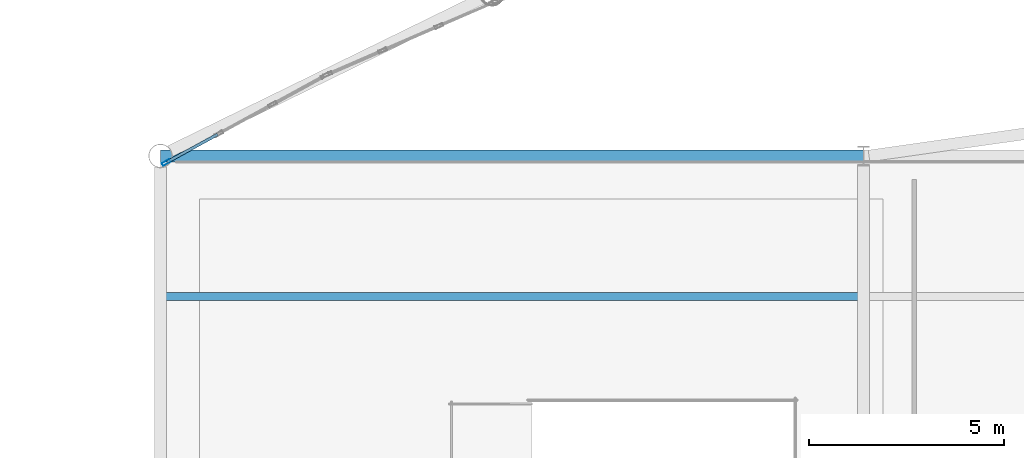
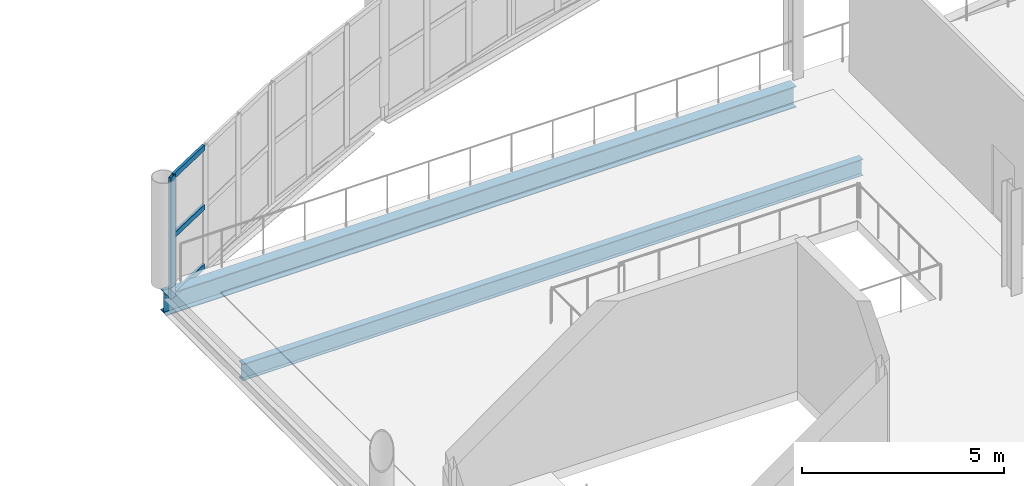
# One storey, part 60 of 134: 4 members, 2 beams, 1 element without a shape of its own.
"""IFC4 building model written with IfcOpenShell, lengths in metres."""

import ifcopenshell
import ifcopenshell.guid

model = None  # the IFC model being written
_history = None  # IfcOwnerHistory: only IFC2X3 demands one
_inside = {}  # id of a spatial element -> (the spatial element, [elements in it])
_under = {}  # id of a project, library or spatial element -> (it, [spatial elements below it])
_declared = {}  # id of a project -> (the project, [libraries it declares])
_typed = {}  # id of a type object -> (the type object, [elements of that type])
_made_of = {}  # id of a material, layer set ... -> (it, [elements and type objects made of it])


def new_model(schema):
    """Start an empty IFC model of exactly this schema.

    Asked for "IFC4X3", IfcOpenShell would pick the latest addendum, in which some entities
    have other attributes; the version numbers below select the first issue.
    IFC2X3 requires an IfcOwnerHistory on every rooted entity: one is made here for all.
    """
    global model, _history
    if schema == "IFC4X3":
        model = ifcopenshell.file(schema_version=(4, 3, 0, 0))
    else:
        model = ifcopenshell.file(schema=schema)
    _inside.clear()
    _under.clear()
    _declared.clear()
    _typed.clear()
    _made_of.clear()
    _history = None
    if model.schema == "IFC2X3":
        org = make("IfcOrganization", Name="unknown")
        user = make(
            "IfcPersonAndOrganization",
            ThePerson=make("IfcPerson", FamilyName="unknown"),
            TheOrganization=org,
        )
        app = make(
            "IfcApplication",
            ApplicationDeveloper=org,
            Version="unknown",
            ApplicationFullName="unknown",
            ApplicationIdentifier="unknown",
        )
        _history = make(
            "IfcOwnerHistory",
            OwningUser=user,
            OwningApplication=app,
            ChangeAction="ADDED",
            CreationDate=0,
        )
    return model


def make(cls, **values):
    """One entity of the class cls with the attributes given. An attribute that is None is left unset."""
    return model.create_entity(
        cls, **{name: value for name, value in values.items() if value is not None}
    )


def rooted(cls, **values):
    """An entity with a GlobalId (a new one), such as an element, a storey or a relation."""
    return make(cls, GlobalId=ifcopenshell.guid.new(), OwnerHistory=_history, **values)


def si_unit(unit_type, name, prefix=None):
    """IfcSIUnit, for example si_unit("LENGTHUNIT", "METRE", prefix="MILLI")."""
    return make("IfcSIUnit", UnitType=unit_type, Prefix=prefix, Name=name)


def assignment(units):
    """IfcUnitAssignment: the units of a project."""
    return None if units is None else make("IfcUnitAssignment", Units=units)


def point(xyz):
    """IfcCartesianPoint."""
    return None if xyz is None else make("IfcCartesianPoint", Coordinates=xyz)


def direction(xyz):
    """IfcDirection."""
    return None if xyz is None else make("IfcDirection", DirectionRatios=xyz)


def frame(location, z_axis=None, x_axis=None):
    """IfcAxis2Placement3D, a coordinate frame: its origin and axes. An axis left out is left unset."""
    return make(
        "IfcAxis2Placement3D",
        Location=point(location),
        Axis=direction(z_axis),
        RefDirection=direction(x_axis),
    )


def frame_2d(location, x_axis=None):
    """IfcAxis2Placement2D, a coordinate frame in the plane: its origin and x axis."""
    return make(
        "IfcAxis2Placement2D", Location=point(location), RefDirection=direction(x_axis)
    )


def origin():
    """The frame at (0, 0, 0) with its axes left unset."""
    return frame((0.0, 0.0, 0.0))


def origin_2d():
    """The frame at (0, 0) in the plane with its x axis left unset."""
    return frame_2d((0.0, 0.0))


def place(relative_to, where):
    """IfcLocalPlacement: puts the frame where relative to a parent placement (None: the world)."""
    return make(
        "IfcLocalPlacement", PlacementRelTo=relative_to, RelativePlacement=where
    )


def context(
    kind, dimensions, precision=None, world=None, true_north=None, identifier=None
):
    """IfcGeometricRepresentationContext, for example the 3D "Model" context."""
    return make(
        "IfcGeometricRepresentationContext",
        ContextIdentifier=identifier,
        ContextType=kind,
        CoordinateSpaceDimension=dimensions,
        Precision=precision,
        WorldCoordinateSystem=world,
        TrueNorth=true_north,
    )


def subcontext(parent, identifier, kind, view, scale=None):
    """IfcGeometricRepresentationSubContext, for example "Body" below "Model"."""
    return make(
        "IfcGeometricRepresentationSubContext",
        ContextIdentifier=identifier,
        ContextType=kind,
        ParentContext=parent,
        TargetScale=scale,
        TargetView=view,
    )


def project(units=None, contexts=None):
    """IfcProject with its units and contexts."""
    return rooted(
        "IfcProject",
        Name="project",
        RepresentationContexts=contexts,
        UnitsInContext=assignment(units),
    )


def spatial(cls, under=None, at=None, **own):
    """A site, building, storey or space (cls), placed at a placement, below another one or the project."""
    s = rooted(cls, ObjectPlacement=at, **own)
    if under is not None:
        _under.setdefault(under.id(), (under, []))[1].append(s)
    return s


def profile(cls, at=None, kind="AREA", **sizes):
    """A parametric profile (cls). Its sizes go by their IFC names, for example OverallWidth=200.0."""
    return make(cls, ProfileType=kind, Position=at, **sizes)


def hollow_rectangle(**sizes):
    """IfcRectangleHollowProfileDef."""
    return profile("IfcRectangleHollowProfileDef", **sizes)


def i_section(**sizes):
    """IfcIShapeProfileDef."""
    return profile("IfcIShapeProfileDef", **sizes)


def extrude(swept, where, along, depth):
    """IfcExtrudedAreaSolid: the profile swept, set in the frame where, extruded along a direction by depth."""
    return make(
        "IfcExtrudedAreaSolid",
        SweptArea=swept,
        Position=where,
        ExtrudedDirection=direction(along),
        Depth=depth,
    )


def shape(context_of_items, identifier, shape_type, items):
    """IfcShapeRepresentation: the items that make up one representation, for example the "Body"."""
    return make(
        "IfcShapeRepresentation",
        ContextOfItems=context_of_items,
        RepresentationIdentifier=identifier,
        RepresentationType=shape_type,
        Items=items,
    )


def material(Name=None, Category=None):
    """IfcMaterial."""
    return make("IfcMaterial", Name=Name, Category=Category)


def layer(
    of_material, thickness, ventilated=None, Name=None, Category=None, Priority=None
):
    """IfcMaterialLayer: one layer of a wall or slab, of a material (None: an air gap)."""
    return make(
        "IfcMaterialLayer",
        Material=of_material,
        LayerThickness=thickness,
        IsVentilated=ventilated,
        Name=Name,
        Category=Category,
        Priority=Priority,
    )


def layer_set(layers, Name=None):
    """IfcMaterialLayerSet."""
    return make("IfcMaterialLayerSet", MaterialLayers=layers, LayerSetName=Name)


def material_profile(
    of_material, cross_section, Name=None, Category=None, Priority=None
):
    """IfcMaterialProfile: a cross section and its material."""
    return make(
        "IfcMaterialProfile",
        Name=Name,
        Material=of_material,
        Profile=cross_section,
        Priority=Priority,
        Category=Category,
    )


def profile_set(profiles, Name=None, composite=None):
    """IfcMaterialProfileSet."""
    return make(
        "IfcMaterialProfileSet",
        Name=Name,
        MaterialProfiles=profiles,
        CompositeProfile=composite,
    )


def made_of(thing, what):
    """Note that an element or type object is made of a material, layer set ...; save() writes the relation."""
    if what is not None:
        _made_of.setdefault(what.id(), (what, []))[1].append(thing)
    return thing


def type_object(cls, material=None, **own):
    """A type object (cls), such as IfcWallType, which elements share."""
    return made_of(rooted(cls, **own), material)


def element(
    cls,
    number,
    at=None,
    inside=None,
    cuts=None,
    type_object=None,
    material=None,
    context=None,
    identifier="Body",
    shape_type=None,
    held_by="IfcProductDefinitionShape",
    body=None,
    shapes=None,
    **own,
):
    """One element of the class cls, such as IfcWall. Its Tag is "e" and its number.

    at: its placement. inside: the storey or other place that contains it. cuts: it is an
    opening in that element (IfcRelVoidsElement). A single representation is given by context,
    identifier, shape_type and body (its items); several are given by shapes. held_by: the class
    of the entity that holds the representations. save() writes the other relations.
    """
    e = rooted(cls, Tag="e%d" % number, ObjectPlacement=at, **own)
    if body is not None:
        shapes = [shape(context, identifier, shape_type, body)]
    if shapes is not None:
        e.Representation = make(held_by, Representations=shapes)
    if inside is not None:
        _inside.setdefault(inside.id(), (inside, []))[1].append(e)
    if cuts is not None:
        rooted(
            "IfcRelVoidsElement", RelatingBuildingElement=cuts, RelatedOpeningElement=e
        )
    if type_object is not None:
        _typed.setdefault(type_object.id(), (type_object, []))[1].append(e)
    return made_of(e, material)


def aggregate(whole, parts):
    """IfcRelAggregates: a whole, such as a stair, and the parts it consists of."""
    return rooted("IfcRelAggregates", RelatingObject=whole, RelatedObjects=parts)


def save(model, path):
    """Write the relations noted so far, then the file.

    IfcRelAggregates (storeys below a building ...), IfcRelContainedInSpatialStructure (elements
    in a storey), IfcRelDefinesByType, IfcRelAssociatesMaterial and IfcRelDeclares: one each for
    every whole, place, type object, material and project.
    """
    for whole, parts in _under.values():
        aggregate(whole, parts)
    for where, things in _inside.values():
        rooted(
            "IfcRelContainedInSpatialStructure",
            RelatedElements=things,
            RelatingStructure=where,
        )
    for kind, things in _typed.values():
        rooted("IfcRelDefinesByType", RelatedObjects=things, RelatingType=kind)
    for what, things in _made_of.values():
        rooted("IfcRelAssociatesMaterial", RelatedObjects=things, RelatingMaterial=what)
    for by, libraries in _declared.values():
        rooted("IfcRelDeclares", RelatingContext=by, RelatedDefinitions=libraries)
    model.write(path)


model = new_model("IFC4")

# Units and contexts
model_context = context("Model", 3, precision=1e-05, world=origin(), true_north=direction((0.0, 1.0)))
body_context = subcontext(model_context, "Body", "Model", "MODEL_VIEW")
ifc_project = project(units=[si_unit("LENGTHUNIT", "METRE"), si_unit("AREAUNIT", "SQUARE_METRE"), si_unit("VOLUMEUNIT", "CUBIC_METRE"), si_unit("PLANEANGLEUNIT", "RADIAN"), si_unit("MASSUNIT", "GRAM", prefix="KILO")], contexts=[model_context])

# Site, building, storey
site_placement = place(None, origin())
site = spatial("IfcSite", under=ifc_project, at=site_placement, CompositionType="ELEMENT")
building_placement = place(site_placement, origin())
building = spatial("IfcBuilding", under=site, at=building_placement, Name="Tamarisk Ironworks Central Station", CompositionType="ELEMENT")
storey_placement = place(building_placement, frame((0.0, 0.0, 12.60009765625)))
storey = spatial("IfcBuildingStorey", under=building, at=storey_placement, Name="L02", CompositionType="ELEMENT", Elevation=12.60009765625)

# Beams
ifc_material_1 = material(Name="Structural steel S355J2", Category="steel")
ifc_material_profile_1 = material_profile(ifc_material_1, i_section(OverallWidth=0.199951171875, OverallDepth=0.5, WebThickness=0.01025390625, FlangeThickness=0.01611328125, at=origin_2d()), Name="IPE 500")
ifc_profile_set_1 = profile_set([ifc_material_profile_1], Name="Structural steel S355J2")
beam_type_1 = type_object("IfcBeamType", Name="BM-B02", PredefinedType="BEAM", material=ifc_profile_set_1)
beam_1_placement = place(storey_placement, frame((54.135009765625, 108.0, -0.530029296875), z_axis=(1.0, 0.0, 0.0), x_axis=(0.0, 1.0, 0.0)))
element("IfcBeam", 1, at=beam_1_placement, inside=storey, type_object=beam_type_1, Name="L02 secondary composite beam 0119", PredefinedType="BEAM", context=body_context, shape_type="SweptSolid", body=[
    extrude(i_section(OverallWidth=0.199951171875, OverallDepth=0.5, WebThickness=0.01025390625, FlangeThickness=0.01611328125, at=origin_2d()), origin(), (0.0, 0.0, 1.0), 17.72998046875),
])
ifc_material_profile_2 = material_profile(ifc_material_1, i_section(OverallWidth=0.300048828125, OverallDepth=0.639892578125, WebThickness=0.013427734375, FlangeThickness=0.02587890625, at=origin_2d()), Name="HEA 650")
ifc_profile_set_2 = profile_set([ifc_material_profile_2], Name="Structural steel S355J2")
beam_type_2 = type_object("IfcBeamType", Name="BM-G02", PredefinedType="BEAM", material=ifc_profile_set_2)
beam_2_placement = place(storey_placement, frame((54.00390625, 111.60009765625, -0.60009765625), z_axis=(1.0, 0.0, 0.0), x_axis=(0.0, 1.0, 0.0)))
element("IfcBeam", 2, at=beam_2_placement, inside=storey, type_object=beam_type_2, Name="L02 primary girder X-0398", PredefinedType="BEAM", context=body_context, shape_type="SweptSolid", body=[
    extrude(i_section(OverallWidth=0.300048828125, OverallDepth=0.639892578125, WebThickness=0.013427734375, FlangeThickness=0.02587890625, at=origin_2d()), origin(), (0.0, 0.0, 1.0), 17.9921875),
])

# Curtain wall, members
ifc_material_2 = material(Name="Anodized aluminium alloy 6063-T6", Category="aluminium")
ifc_layer = layer(ifc_material_2, 0.179931640625)
ifc_layer_set = layer_set([ifc_layer], Name="Anodized aluminium alloy 6063-T6")
curtain_wall_type = type_object("IfcCurtainWallType", Name="CW-03", PredefinedType="USERDEFINED", material=ifc_layer_set)
curtain_wall_placement = place(storey_placement, origin())
curtain_wall = element("IfcCurtainWall", 3, at=curtain_wall_placement, inside=storey, type_object=curtain_wall_type, Name="NN rounded entrance hall L02 curtain wall bay 01", ObjectType="GLAZED CURTAIN WALL", PredefinedType="USERDEFINED")
ifc_material_profile_3 = material_profile(ifc_material_2, hollow_rectangle(XDim=0.074951171875, YDim=0.219970703125, WallThickness=0.00390625, at=origin_2d()), Name="ALUM 220x75")
ifc_profile_set_3 = profile_set([ifc_material_profile_3], Name="Anodized aluminium alloy 6063-T6")
member_type_1 = type_object("IfcMemberType", Name="CWM-01", PredefinedType="MULLION", material=ifc_profile_set_3)
member_1_placement = place(storey_placement, frame((54.148681640625, 111.430908203125, -0.385009765625), z_axis=(0.0, 0.0, 1.0), x_axis=(-0.47980544644, 0.877374910495, 0.0)))
member_1 = element("IfcMember", 4, at=member_1_placement, type_object=member_type_1, Name="CW03 mullion 1", PredefinedType="MULLION", context=body_context, shape_type="SweptSolid", body=[
    extrude(hollow_rectangle(XDim=0.074951171875, YDim=0.219970703125, WallThickness=0.00390625, at=origin_2d()), origin(), (0.0, 0.0, 1.0), 3.664794921875),
])
ifc_material_profile_4 = material_profile(ifc_material_2, hollow_rectangle(XDim=0.074951171875, YDim=0.159912109375, WallThickness=0.00390625, at=origin_2d()), Name="ALUM 160x75")
ifc_profile_set_4 = profile_set([ifc_material_profile_4], Name="Anodized aluminium alloy 6063-T6")
member_type_2 = type_object("IfcMemberType", Name="CWT-01", PredefinedType="USERDEFINED", material=ifc_profile_set_4)
member_2_placement = place(storey_placement, frame((54.177978515625, 111.447021484375, -0.34765625), z_axis=(0.8773601803, 0.479832381174, 0.0), x_axis=(-0.479832381174, 0.8773601803, 0.0)))
member_2 = element("IfcMember", 5, at=member_2_placement, type_object=member_type_2, Name="CW03 transom 1.1", ObjectType="TRANSOM", PredefinedType="USERDEFINED", context=body_context, shape_type="SweptSolid", body=[
    extrude(hollow_rectangle(XDim=0.074951171875, YDim=0.159912109375, WallThickness=0.00390625, at=origin_2d()), origin(), (0.0, 0.0, 1.0), 1.46533203125),
])
member_3_placement = place(storey_placement, frame((54.177978515625, 111.447021484375, 1.447509765625), z_axis=(0.8773601803, 0.479832381174, 0.0), x_axis=(-0.479832381174, 0.8773601803, 0.0)))
member_3 = element("IfcMember", 6, at=member_3_placement, type_object=member_type_2, Name="CW03 transom 1.2", ObjectType="TRANSOM", PredefinedType="USERDEFINED", context=body_context, shape_type="SweptSolid", body=[
    extrude(hollow_rectangle(XDim=0.074951171875, YDim=0.159912109375, WallThickness=0.00390625, at=origin_2d()), origin(), (0.0, 0.0, 1.0), 1.46533203125),
])
member_4_placement = place(storey_placement, frame((54.177978515625, 111.447021484375, 3.242431640625), z_axis=(0.8773601803, 0.479832381174, 0.0), x_axis=(-0.479832381174, 0.8773601803, 0.0)))
member_4 = element("IfcMember", 7, at=member_4_placement, type_object=member_type_2, Name="CW03 transom 1.3", ObjectType="TRANSOM", PredefinedType="USERDEFINED", context=body_context, shape_type="SweptSolid", body=[
    extrude(hollow_rectangle(XDim=0.074951171875, YDim=0.159912109375, WallThickness=0.00390625, at=origin_2d()), origin(), (0.0, 0.0, 1.0), 1.46533203125),
])
aggregate(curtain_wall, [member_1, member_2, member_3, member_4])

save(model, "model.ifc")
